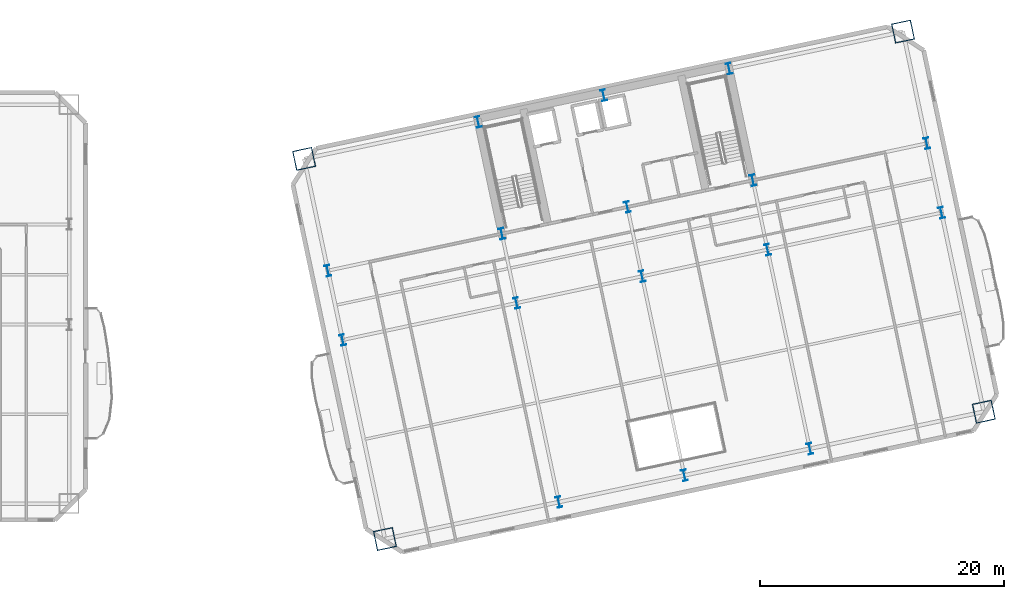
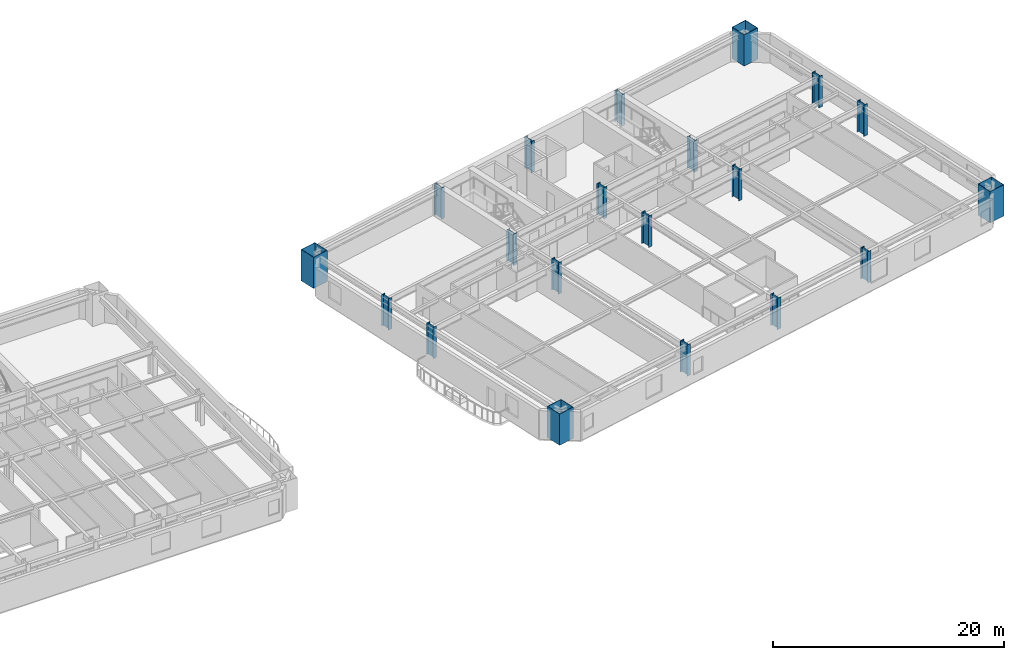
# One storey, part 2 of 17: 20 columns.
"""IFC4 building model written with IfcOpenShell, lengths in metres."""

from ifc_helpers import new_model, si_unit, direction, frame, origin, origin_2d, place, context, subcontext, project, spatial, hollow_rectangle, i_section, extrude, material, material_profile, profile_set, type_object, element, save


model = new_model("IFC4")

# Units and contexts
model_context = context("Model", 3, precision=1e-05, world=origin(), true_north=direction((0.0, 1.0)))
body_context = subcontext(model_context, "Body", "Model", "MODEL_VIEW")
ifc_project = project(units=[si_unit("LENGTHUNIT", "METRE"), si_unit("AREAUNIT", "SQUARE_METRE"), si_unit("VOLUMEUNIT", "CUBIC_METRE"), si_unit("PLANEANGLEUNIT", "RADIAN"), si_unit("MASSUNIT", "GRAM", prefix="KILO")], contexts=[model_context])

# Site, building, storey
site_placement = place(None, origin())
site = spatial("IfcSite", under=ifc_project, at=site_placement, CompositionType="ELEMENT")
building_placement = place(site_placement, origin())
building = spatial("IfcBuilding", under=site, at=building_placement, Name="Haevon Station Towers", CompositionType="ELEMENT")
storey_placement = place(building_placement, frame((0.0, 0.0, 37.199951171875)))
storey = spatial("IfcBuildingStorey", under=building, at=storey_placement, Name="L08", CompositionType="ELEMENT", Elevation=37.199951171875)

# Columns
ifc_material = material(Name="Steel S460", Category="steel")
ifc_material_profile_1 = material_profile(ifc_material, hollow_rectangle(XDim=1.60009765625, YDim=1.60009765625, WallThickness=0.0400390625, at=origin_2d()), Name="BOX-1600x1600x40")
ifc_profile_set_1 = profile_set([ifc_material_profile_1], Name="Steel S460")
column_type_1 = type_object("IfcColumnType", Name="COL-MC1", PredefinedType="COLUMN", material=ifc_profile_set_1)
for number, where, z_axis, x_axis, name in (
    (1, (89.18798828125, 12.457763671875, 0.0), (0.0, 0.0, 1.0), (0.978147600734, 0.207911690818, 0.0), "COL-T2-L08-01-01"),
    (2, (82.576416015625, 43.56298828125, 0.0), (0.0, 0.0, 1.0), (0.978147600734, 0.207911690818, 0.0), "COL-T2-L08-01-04"),
    (3, (138.193115234375, 22.874267578125, 0.0), (0.0, 0.0, 1.0), (0.978147600734, 0.207911690818, 0.0), "COL-T2-L08-05-01"),
    (4, (131.58154296875, 53.979248046875, 0.0), (0.0, 0.0, 1.0), (0.978147600734, 0.207911690818, 0.0), "COL-T2-L08-05-04"),
):
    element("IfcColumn", number, at=place(storey_placement, frame(where, z_axis=z_axis, x_axis=x_axis)), inside=storey, type_object=column_type_1, Name=name, PredefinedType="COLUMN", context=body_context, shape_type="SweptSolid", body=[
        extrude(hollow_rectangle(XDim=1.60009765625, YDim=1.60009765625, WallThickness=0.0400390625, at=origin_2d()), origin(), (0.0, 0.0, 1.0), 3.300048828125),
    ])
ifc_material_profile_2 = material_profile(ifc_material, i_section(OverallWidth=0.39990234375, OverallDepth=0.89990234375, WebThickness=0.02001953125, FlangeThickness=0.035888671875, at=origin_2d()), Name="H-900x400x20x36")
ifc_profile_set_2 = profile_set([ifc_material_profile_2], Name="Steel S460")
column_type_2 = type_object("IfcColumnType", Name="COL-TW1", PredefinedType="COLUMN", material=ifc_profile_set_2)
for number, where, z_axis, x_axis, name in (
    (5, (85.72607421875, 28.744140625, 0.0), (0.0, 0.0, 1.0), (0.978147600734, 0.207911690818, 0.0), "COL-T2-L08-01-02"),
    (6, (84.520263671875, 34.417236328125, 0.0), (0.0, 0.0, 1.0), (0.978147600734, 0.207911690818, 0.0), "COL-T2-L08-01-03"),
    (7, (103.419921875, 15.48291015625, 0.0), (0.0, 0.0, 1.0), (0.978147600734, 0.207911690818, 0.0), "COL-T2-L08-02-01"),
    (8, (99.958251953125, 31.76904296875, 0.0), (0.0, 0.0, 1.0), (0.978147600734, 0.207911690818, 0.0), "COL-T2-L08-02-02"),
    (9, (98.75244140625, 37.4423828125, 0.0), (0.0, 0.0, 1.0), (0.978147600734, 0.207911690818, 0.0), "COL-T2-L08-02-03"),
    (10, (96.808349609375, 46.588134765625, 0.0), (0.0, 0.0, 1.0), (0.978147600734, 0.207911690818, 0.0), "COL-T2-L08-02-04"),
    (11, (113.6904296875, 17.666015625, 0.0), (0.0, 0.0, 1.0), (0.978147600734, 0.207911690818, 0.0), "COL-T2-L08-03-01"),
    (12, (110.228759765625, 33.9521484375, 0.0), (0.0, 0.0, 1.0), (0.978147600734, 0.207911690818, 0.0), "COL-T2-L08-03-02"),
    (13, (109.02294921875, 39.62548828125, 0.0), (0.0, 0.0, 1.0), (0.978147600734, 0.207911690818, 0.0), "COL-T2-L08-03-03"),
    (14, (107.078857421875, 48.771240234375, 0.0), (0.0, 0.0, 1.0), (0.978147600734, 0.207911690818, 0.0), "COL-T2-L08-03-04"),
    (15, (123.961181640625, 19.84912109375, 0.0), (0.0, 0.0, 1.0), (0.978147600734, 0.207911690818, 0.0), "COL-T2-L08-04-01"),
    (16, (120.499267578125, 36.13525390625, 0.0), (0.0, 0.0, 1.0), (0.978147600734, 0.207911690818, 0.0), "COL-T2-L08-04-02"),
    (17, (119.29345703125, 41.80859375, 0.0), (0.0, 0.0, 1.0), (0.978147600734, 0.207911690818, 0.0), "COL-T2-L08-04-03"),
    (18, (117.349365234375, 50.954345703125, 0.0), (0.0, 0.0, 1.0), (0.978147600734, 0.207911690818, 0.0), "COL-T2-L08-04-04"),
    (19, (134.7314453125, 39.160400390625, 0.0), (0.0, 0.0, 1.0), (0.978147600734, 0.207911690818, 0.0), "COL-T2-L08-05-02"),
    (20, (133.525390625, 44.833740234375, 0.0), (0.0, 0.0, 1.0), (0.978147600734, 0.207911690818, 0.0), "COL-T2-L08-05-03"),
):
    element("IfcColumn", number, at=place(storey_placement, frame(where, z_axis=z_axis, x_axis=x_axis)), inside=storey, type_object=column_type_2, Name=name, PredefinedType="COLUMN", context=body_context, shape_type="SweptSolid", body=[
        extrude(i_section(OverallWidth=0.39990234375, OverallDepth=0.89990234375, WebThickness=0.02001953125, FlangeThickness=0.035888671875, at=origin_2d()), origin(), (0.0, 0.0, 1.0), 3.300048828125),
    ])

save(model, "model.ifc")
